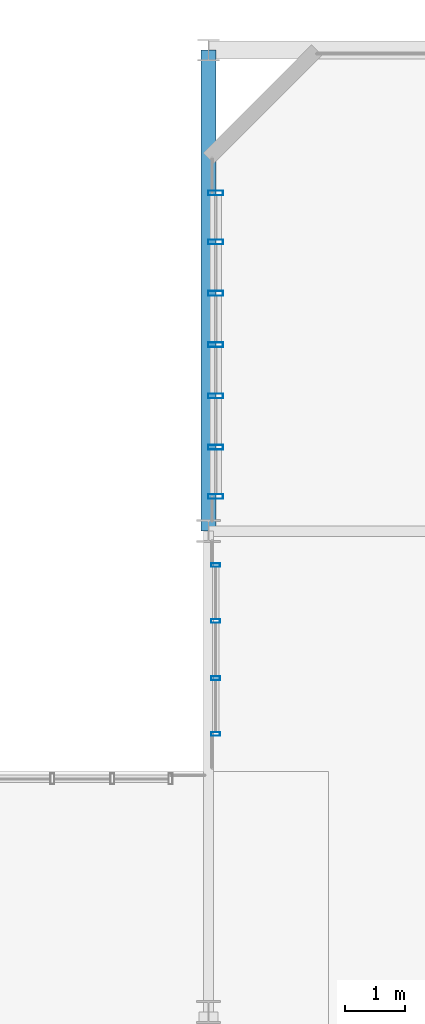
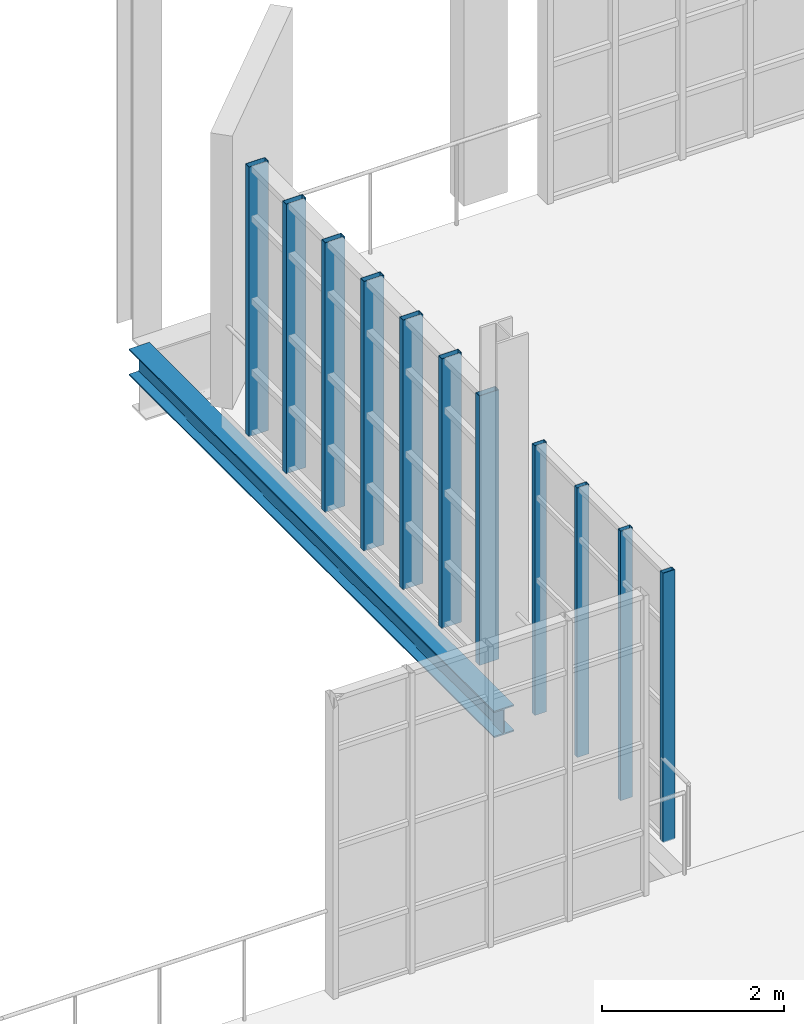
# One storey, part 46 of 122: 11 members, 1 beam, 2 elements without a shape of their own.
"""IFC4 building model written with IfcOpenShell, lengths in metres."""

from ifc_helpers import new_model, si_unit, direction, frame, origin, origin_2d, place, context, subcontext, project, spatial, hollow_rectangle, i_section, extrude, material, layer, layer_set, material_profile, profile_set, type_object, element, aggregate, save


model = new_model("IFC4")

# Units and contexts
model_context = context("Model", 3, precision=1e-05, world=origin(), true_north=direction((0.0, 1.0)))
body_context = subcontext(model_context, "Body", "Model", "MODEL_VIEW")
ifc_project = project(units=[si_unit("LENGTHUNIT", "METRE"), si_unit("AREAUNIT", "SQUARE_METRE"), si_unit("VOLUMEUNIT", "CUBIC_METRE"), si_unit("PLANEANGLEUNIT", "RADIAN"), si_unit("MASSUNIT", "GRAM", prefix="KILO"), si_unit("THERMODYNAMICTEMPERATUREUNIT", "KELVIN"), si_unit("POWERUNIT", "WATT")], contexts=[model_context])

# Site, building, storey
site_placement = place(None, origin())
site = spatial("IfcSite", under=ifc_project, at=site_placement, CompositionType="ELEMENT")
building_placement = place(site_placement, origin())
building = spatial("IfcBuilding", under=site, at=building_placement, Name="Zelmaris Science Centre", CompositionType="ELEMENT")
storey_placement = place(building_placement, frame((0.0, 0.0, 10.800048828125)))
storey = spatial("IfcBuildingStorey", under=building, at=storey_placement, Name="L02", CompositionType="ELEMENT", Elevation=10.800048828125)

# Curtain wall, members
ifc_material_1 = material(Name="Anodised architectural aluminium 6063-T6", Category="aluminium")
ifc_layer_1 = layer(ifc_material_1, 0.219970703125, Name="Anodised architectural aluminium 6063-T6")
ifc_layer_set_1 = layer_set([ifc_layer_1], Name="Anodised architectural aluminium 6063-T6")
curtain_wall_type_1 = type_object("IfcCurtainWallType", Name="Curtain Wall CW-04", PredefinedType="USERDEFINED", material=ifc_layer_set_1)
curtain_wall_1_placement = place(storey_placement, origin())
curtain_wall_1 = element("IfcCurtainWall", 1, at=curtain_wall_1_placement, inside=storey, type_object=curtain_wall_type_1, Name="L02 Unitised curtain wall 204", ObjectType="GLAZED CURTAIN WALL", PredefinedType="USERDEFINED")
ifc_material_profile_1 = material_profile(ifc_material_1, hollow_rectangle(XDim=0.06005859375, YDim=0.14990234375, WallThickness=0.00341796875, at=origin_2d()), Name="ALU-MUL-60X150")
ifc_profile_set_1 = profile_set([ifc_material_profile_1], Name="Anodised architectural aluminium 6063-T6")
member_type_1 = type_object("IfcMemberType", Name="ALU-MUL-60X150", PredefinedType="MULLION", material=ifc_profile_set_1)
member_1_placement = place(storey_placement, frame((54.1201171875, 76.6259765625, -0.01513671875), z_axis=(0.0, 0.0, 1.0), x_axis=(6.981317e-06, 0.999999999976, 0.0)))
member_1 = element("IfcMember", 2, at=member_1_placement, type_object=member_type_1, Name="CW-04 mullion 1", PredefinedType="MULLION", context=body_context, shape_type="SweptSolid", body=[
    extrude(hollow_rectangle(XDim=0.06005859375, YDim=0.14990234375, WallThickness=0.00341796875, at=origin_2d()), origin(), (0.0, 0.0, 1.0), 3.606201171875),
])
member_2_placement = place(storey_placement, frame((54.1201171875, 77.55322265625, -0.01513671875), z_axis=(0.0, 0.0, 1.0), x_axis=(6.981317e-06, 0.999999999976, 0.0)))
member_2 = element("IfcMember", 3, at=member_2_placement, type_object=member_type_1, Name="CW-04 mullion 2", PredefinedType="MULLION", context=body_context, shape_type="SweptSolid", body=[
    extrude(hollow_rectangle(XDim=0.06005859375, YDim=0.14990234375, WallThickness=0.00341796875, at=origin_2d()), origin(), (0.0, 0.0, 1.0), 3.606201171875),
])
member_3_placement = place(storey_placement, frame((54.1201171875, 78.506591796875, -0.01513671875), z_axis=(0.0, 0.0, 1.0), x_axis=(6.981317e-06, 0.999999999976, 0.0)))
member_3 = element("IfcMember", 4, at=member_3_placement, type_object=member_type_1, Name="CW-04 mullion 3", PredefinedType="MULLION", context=body_context, shape_type="SweptSolid", body=[
    extrude(hollow_rectangle(XDim=0.06005859375, YDim=0.14990234375, WallThickness=0.00341796875, at=origin_2d()), origin(), (0.0, 0.0, 1.0), 3.606201171875),
])
member_4_placement = place(storey_placement, frame((54.1201171875, 79.43408203125, -0.01513671875), z_axis=(0.0, 0.0, 1.0), x_axis=(6.981317e-06, 0.999999999976, 0.0)))
member_4 = element("IfcMember", 5, at=member_4_placement, type_object=member_type_1, Name="CW-04 mullion 4", PredefinedType="MULLION", context=body_context, shape_type="SweptSolid", body=[
    extrude(hollow_rectangle(XDim=0.06005859375, YDim=0.14990234375, WallThickness=0.00341796875, at=origin_2d()), origin(), (0.0, 0.0, 1.0), 3.606201171875),
])
aggregate(curtain_wall_1, [member_1, member_2, member_3, member_4])

ifc_layer_2 = layer(ifc_material_1, 0.18994140625, Name="Anodised architectural aluminium 6063-T6")
ifc_layer_set_2 = layer_set([ifc_layer_2], Name="Anodised architectural aluminium 6063-T6")
curtain_wall_type_2 = type_object("IfcCurtainWallType", Name="Curtain Wall CW-01", PredefinedType="USERDEFINED", material=ifc_layer_set_2)
curtain_wall_2_placement = place(storey_placement, origin())
curtain_wall_2 = element("IfcCurtainWall", 6, at=curtain_wall_2_placement, inside=storey, type_object=curtain_wall_type_2, Name="L02 Unitised curtain wall 205", ObjectType="GLAZED CURTAIN WALL", PredefinedType="USERDEFINED")
ifc_material_profile_2 = material_profile(ifc_material_1, hollow_rectangle(XDim=0.080078125, YDim=0.25, WallThickness=0.0048828125, at=origin_2d()), Name="ALU-MUL-80X250")
ifc_profile_set_2 = profile_set([ifc_material_profile_2], Name="Anodised architectural aluminium 6063-T6")
member_type_2 = type_object("IfcMemberType", Name="ALU-MUL-80X250", PredefinedType="MULLION", material=ifc_profile_set_2)
member_5_placement = place(storey_placement, frame((54.1201171875, 80.575927734375, -0.01513671875), z_axis=(0.0, 0.0, 1.0), x_axis=(6.981317e-06, 0.999999999976, 0.0)))
member_5 = element("IfcMember", 7, at=member_5_placement, type_object=member_type_2, Name="CW-01 mullion 1", PredefinedType="MULLION", context=body_context, shape_type="SweptSolid", body=[
    extrude(hollow_rectangle(XDim=0.080078125, YDim=0.25, WallThickness=0.0048828125, at=origin_2d()), origin(), (0.0, 0.0, 1.0), 3.606201171875),
])
member_6_placement = place(storey_placement, frame((54.1201171875, 81.393310546875, -0.01513671875), z_axis=(0.0, 0.0, 1.0), x_axis=(6.981317e-06, 0.999999999976, 0.0)))
member_6 = element("IfcMember", 8, at=member_6_placement, type_object=member_type_2, Name="CW-01 mullion 2", PredefinedType="MULLION", context=body_context, shape_type="SweptSolid", body=[
    extrude(hollow_rectangle(XDim=0.080078125, YDim=0.25, WallThickness=0.0048828125, at=origin_2d()), origin(), (0.0, 0.0, 1.0), 3.606201171875),
])
member_7_placement = place(storey_placement, frame((54.1201171875, 82.24658203125, -0.01513671875), z_axis=(0.0, 0.0, 1.0), x_axis=(6.981317e-06, 0.999999999976, 0.0)))
member_7 = element("IfcMember", 9, at=member_7_placement, type_object=member_type_2, Name="CW-01 mullion 3", PredefinedType="MULLION", context=body_context, shape_type="SweptSolid", body=[
    extrude(hollow_rectangle(XDim=0.080078125, YDim=0.25, WallThickness=0.0048828125, at=origin_2d()), origin(), (0.0, 0.0, 1.0), 3.606201171875),
])
member_8_placement = place(storey_placement, frame((54.1201171875, 83.10009765625, -0.01513671875), z_axis=(0.0, 0.0, 1.0), x_axis=(6.981317e-06, 0.999999999976, 0.0)))
member_8 = element("IfcMember", 10, at=member_8_placement, type_object=member_type_2, Name="CW-01 mullion 4", PredefinedType="MULLION", context=body_context, shape_type="SweptSolid", body=[
    extrude(hollow_rectangle(XDim=0.080078125, YDim=0.25, WallThickness=0.0048828125, at=origin_2d()), origin(), (0.0, 0.0, 1.0), 3.606201171875),
])
member_9_placement = place(storey_placement, frame((54.1201171875, 83.953369140625, -0.01513671875), z_axis=(0.0, 0.0, 1.0), x_axis=(6.981317e-06, 0.999999999976, 0.0)))
member_9 = element("IfcMember", 11, at=member_9_placement, type_object=member_type_2, Name="CW-01 mullion 5", PredefinedType="MULLION", context=body_context, shape_type="SweptSolid", body=[
    extrude(hollow_rectangle(XDim=0.080078125, YDim=0.25, WallThickness=0.0048828125, at=origin_2d()), origin(), (0.0, 0.0, 1.0), 3.606201171875),
])
member_10_placement = place(storey_placement, frame((54.1201171875, 84.806640625, -0.01513671875), z_axis=(0.0, 0.0, 1.0), x_axis=(6.981317e-06, 0.999999999976, 0.0)))
member_10 = element("IfcMember", 12, at=member_10_placement, type_object=member_type_2, Name="CW-01 mullion 6", PredefinedType="MULLION", context=body_context, shape_type="SweptSolid", body=[
    extrude(hollow_rectangle(XDim=0.080078125, YDim=0.25, WallThickness=0.0048828125, at=origin_2d()), origin(), (0.0, 0.0, 1.0), 3.606201171875),
])
member_11_placement = place(storey_placement, frame((54.1201171875, 85.6240234375, -0.01513671875), z_axis=(0.0, 0.0, 1.0), x_axis=(6.981317e-06, 0.999999999976, 0.0)))
member_11 = element("IfcMember", 13, at=member_11_placement, type_object=member_type_2, Name="CW-01 mullion 7", PredefinedType="MULLION", context=body_context, shape_type="SweptSolid", body=[
    extrude(hollow_rectangle(XDim=0.080078125, YDim=0.25, WallThickness=0.0048828125, at=origin_2d()), origin(), (0.0, 0.0, 1.0), 3.606201171875),
])
aggregate(curtain_wall_2, [member_5, member_6, member_7, member_8, member_9, member_10, member_11])

# Beam
ifc_material_2 = material(Name="Steel ASTM A992 Grade 50", Category="steel")
ifc_material_profile_3 = material_profile(ifc_material_2, i_section(OverallWidth=0.25390625, OverallDepth=0.35595703125, WebThickness=0.010498046875, FlangeThickness=0.018310546875, FilletRadius=0.014892578125, at=origin_2d()), Name="W14X68")
ifc_profile_set_3 = profile_set([ifc_material_profile_3], Name="Steel ASTM A992 Grade 50")
beam_type = type_object("IfcBeamType", Name="Beam G-41 W14X68", PredefinedType="BEAM", material=ifc_profile_set_3)
beam_placement = place(storey_placement, frame((54.0, 80.0, -0.43798828125), z_axis=(0.0, 1.0, 0.0), x_axis=(-1.0, 0.0, 0.0)))
element("IfcBeam", 14, at=beam_placement, inside=storey, type_object=beam_type, Name="L02 North-south girder 495", PredefinedType="BEAM", context=body_context, shape_type="SweptSolid", body=[
    extrude(i_section(OverallWidth=0.25390625, OverallDepth=0.35595703125, WebThickness=0.010498046875, FlangeThickness=0.018310546875, FilletRadius=0.014892578125, at=origin_2d()), origin(), (0.0, 0.0, 1.0), 8.0),
])

save(model, "model.ifc")
